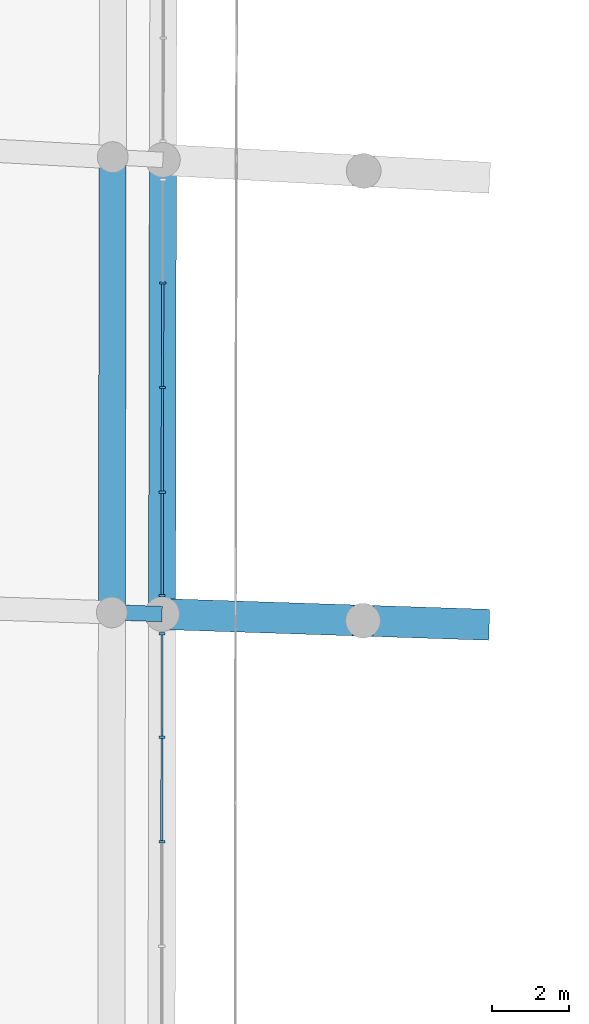
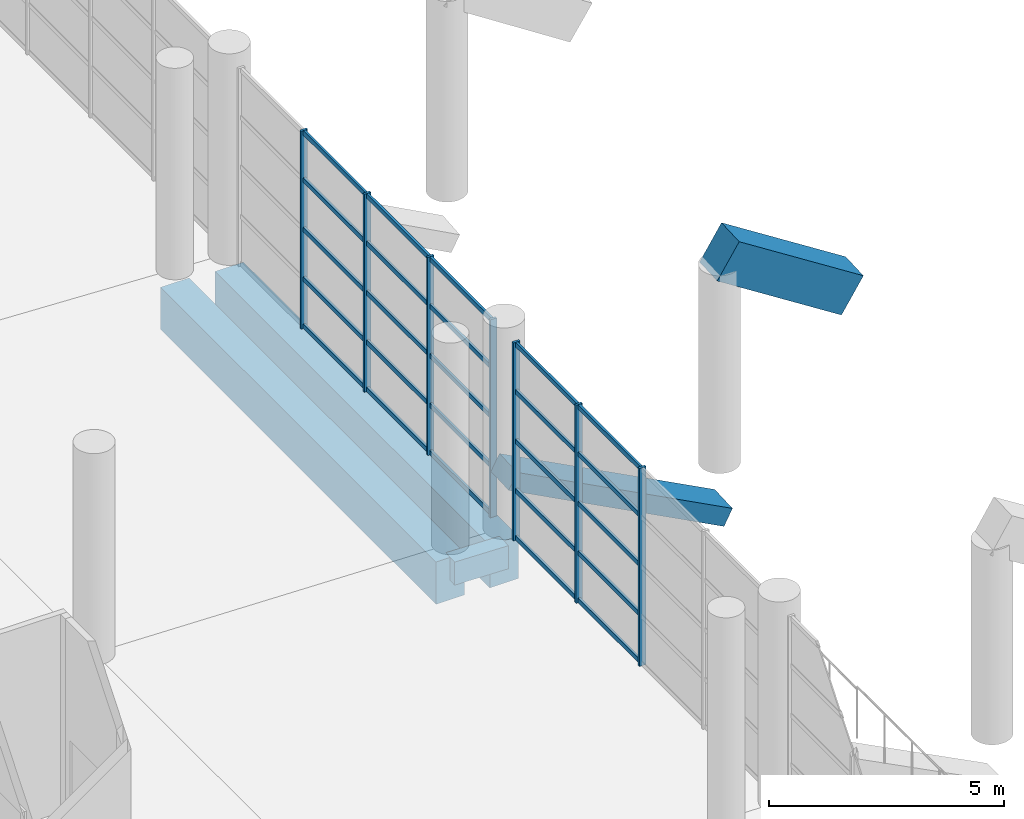
# One storey, part 69 of 271: 32 members, 5 beams, 2 elements without a shape of their own.
"""IFC4 building model written with IfcOpenShell, lengths in metres."""

from ifc_helpers import new_model, si_unit, direction, frame, origin, origin_2d, place, context, subcontext, project, spatial, rectangle, extrude, material, layer, layer_set, material_profile, profile_set, type_object, element, aggregate, save


model = new_model("IFC4")

# Units and contexts
model_context = context("Model", 3, precision=1e-05, world=origin(), true_north=direction((0.0, 1.0)))
body_context = subcontext(model_context, "Body", "Model", "MODEL_VIEW")
ifc_project = project(units=[si_unit("LENGTHUNIT", "METRE"), si_unit("AREAUNIT", "SQUARE_METRE"), si_unit("VOLUMEUNIT", "CUBIC_METRE"), si_unit("PLANEANGLEUNIT", "RADIAN"), si_unit("MASSUNIT", "GRAM", prefix="KILO")], contexts=[model_context])

# Site, building, storey
site_placement = place(None, origin())
site = spatial("IfcSite", under=ifc_project, at=site_placement, CompositionType="ELEMENT")
building_placement = place(site_placement, origin())
building = spatial("IfcBuilding", under=site, at=building_placement, Name="Meseta Stadium", CompositionType="ELEMENT")
storey_placement = place(building_placement, frame((0.0, 0.0, 6.5)))
storey = spatial("IfcBuildingStorey", under=building, at=storey_placement, Name="L01", CompositionType="ELEMENT", Elevation=6.5)

# Curtain wall, members
ifc_material_1 = material(Name="Aluminium", Category="aluminium")
ifc_layer = layer(ifc_material_1, 0.199951171875)
ifc_layer_set = layer_set([ifc_layer], Name="Club glazing curtain wall")
curtain_wall_type = type_object("IfcCurtainWallType", Name="Club glazing curtain wall", PredefinedType="NOTDEFINED", material=ifc_layer_set)
curtain_wall_1_placement = place(storey_placement, origin())
curtain_wall_1 = element("IfcCurtainWall", 1, at=curtain_wall_1_placement, inside=storey, type_object=curtain_wall_type, Name="Club glazing bay 30", PredefinedType="NOTDEFINED")
ifc_material_2 = material(Name="Aluminium", Category="aluminium")
ifc_material_profile_1 = material_profile(ifc_material_2, rectangle(XDim=0.159912109375, YDim=0.06005859375, at=origin_2d()), Name="CW 160x60")
ifc_profile_set_1 = profile_set([ifc_material_profile_1], Name="Aluminium")
member_type_1 = type_object("IfcMemberType", Name="CW mullion 60x160", PredefinedType="MULLION", material=ifc_profile_set_1)
member_1_placement = place(storey_placement, frame((-63.572021484375, 26.178955078125, 0.0), z_axis=(0.0, 0.0, 1.0), x_axis=(0.999998297516, -0.0018452545, 0.0)))
member_1 = element("IfcMember", 2, at=member_1_placement, type_object=member_type_1, Name="CWC mullion 2", PredefinedType="MULLION", context=body_context, shape_type="SweptSolid", body=[
    extrude(rectangle(XDim=0.159912109375, YDim=0.06005859375, at=origin_2d()), origin(), (0.0, 0.0, 1.0), 5.14990234375),
])
member_2_placement = place(storey_placement, frame((-63.576904296875, 23.475341796875, 0.0), z_axis=(0.0, 0.0, 1.0), x_axis=(0.999998297516, -0.0018452545, 0.0)))
member_2 = element("IfcMember", 3, at=member_2_placement, type_object=member_type_1, Name="CWC mullion 3", PredefinedType="MULLION", context=body_context, shape_type="SweptSolid", body=[
    extrude(rectangle(XDim=0.159912109375, YDim=0.06005859375, at=origin_2d()), origin(), (0.0, 0.0, 1.0), 5.14990234375),
])
member_3_placement = place(storey_placement, frame((-63.58203125, 20.771728515625, 0.0), z_axis=(0.0, 0.0, 1.0), x_axis=(0.999998297516, -0.0018452545, 0.0)))
member_3 = element("IfcMember", 4, at=member_3_placement, type_object=member_type_1, Name="CWC mullion 4", PredefinedType="MULLION", context=body_context, shape_type="SweptSolid", body=[
    extrude(rectangle(XDim=0.159912109375, YDim=0.06005859375, at=origin_2d()), origin(), (0.0, 0.0, 1.0), 5.14990234375),
])
member_4_placement = place(storey_placement, frame((-63.5869140625, 18.097900390625, 0.0), z_axis=(0.0, 0.0, 1.0), x_axis=(0.999998297516, -0.0018452545, 0.0)))
member_4 = element("IfcMember", 5, at=member_4_placement, type_object=member_type_1, Name="CWC mullion 5", PredefinedType="MULLION", context=body_context, shape_type="SweptSolid", body=[
    extrude(rectangle(XDim=0.159912109375, YDim=0.06005859375, at=origin_2d()), origin(), (0.0, 0.0, 1.0), 5.14990234375),
])

curtain_wall_2_placement = place(storey_placement, origin())
curtain_wall_2 = element("IfcCurtainWall", 6, at=curtain_wall_2_placement, inside=storey, type_object=curtain_wall_type, Name="Club glazing bay 31", PredefinedType="NOTDEFINED")
member_5_placement = place(storey_placement, frame((-63.588134765625, 17.10888671875, 0.0), z_axis=(0.0, 0.0, 1.0), x_axis=(0.999999572613, -0.000924539991, 0.0)))
member_5 = element("IfcMember", 7, at=member_5_placement, type_object=member_type_1, Name="CWC mullion 1", PredefinedType="MULLION", context=body_context, shape_type="SweptSolid", body=[
    extrude(rectangle(XDim=0.159912109375, YDim=0.06005859375, at=origin_2d()), origin(), (0.0, 0.0, 1.0), 5.14990234375),
])
member_6_placement = place(storey_placement, frame((-63.5908203125, 14.434814453125, 0.0), z_axis=(0.0, 0.0, 1.0), x_axis=(0.999999572613, -0.000924539991, 0.0)))
member_6 = element("IfcMember", 8, at=member_6_placement, type_object=member_type_1, Name="CWC mullion 2", PredefinedType="MULLION", context=body_context, shape_type="SweptSolid", body=[
    extrude(rectangle(XDim=0.159912109375, YDim=0.06005859375, at=origin_2d()), origin(), (0.0, 0.0, 1.0), 5.14990234375),
])
member_7_placement = place(storey_placement, frame((-63.59326171875, 11.730712890625, 0.0), z_axis=(0.0, 0.0, 1.0), x_axis=(0.999999572613, -0.000924539991, 0.0)))
member_7 = element("IfcMember", 9, at=member_7_placement, type_object=member_type_1, Name="CWC mullion 3", PredefinedType="MULLION", context=body_context, shape_type="SweptSolid", body=[
    extrude(rectangle(XDim=0.159912109375, YDim=0.06005859375, at=origin_2d()), origin(), (0.0, 0.0, 1.0), 5.14990234375),
])

# Member
ifc_material_3 = material(Name="Aluminium", Category="aluminium")
ifc_material_profile_2 = material_profile(ifc_material_3, rectangle(XDim=0.06005859375, YDim=0.1201171875, at=origin_2d()), Name="CW 60x120")
ifc_profile_set_2 = profile_set([ifc_material_profile_2], Name="Aluminium")
member_type_2 = type_object("IfcMemberType", Name="CW transom 60x120", PredefinedType="USERDEFINED", material=ifc_profile_set_2)
member_8_placement = place(storey_placement, frame((-63.572021484375, 26.14892578125, 0.06005859375), z_axis=(-0.001847060019, -0.999998294183, 0.0), x_axis=(0.999998294183, -0.001847060019, 0.0)))
member_8 = element("IfcMember", 10, at=member_8_placement, type_object=member_type_2, Name="CWC transom 2.1", ObjectType="TRANSOM", PredefinedType="USERDEFINED", context=body_context, shape_type="SweptSolid", body=[
    extrude(rectangle(XDim=0.06005859375, YDim=0.1201171875, at=origin_2d()), origin(), (0.0, 0.0, 1.0), 2.6435546875),
])

member_9_placement = place(storey_placement, frame((-63.572021484375, 26.14892578125, 1.28759765625), z_axis=(-0.001847060019, -0.999998294183, 0.0), x_axis=(0.999998294183, -0.001847060019, 0.0)))
member_9 = element("IfcMember", 11, at=member_9_placement, type_object=member_type_2, Name="CWC transom 2.2", ObjectType="TRANSOM", PredefinedType="USERDEFINED", context=body_context, shape_type="SweptSolid", body=[
    extrude(rectangle(XDim=0.06005859375, YDim=0.1201171875, at=origin_2d()), origin(), (0.0, 0.0, 1.0), 2.6435546875),
])

member_10_placement = place(storey_placement, frame((-63.572021484375, 26.14892578125, 2.574951171875), z_axis=(-0.001847060019, -0.999998294183, 0.0), x_axis=(0.999998294183, -0.001847060019, 0.0)))
member_10 = element("IfcMember", 12, at=member_10_placement, type_object=member_type_2, Name="CWC transom 2.3", ObjectType="TRANSOM", PredefinedType="USERDEFINED", context=body_context, shape_type="SweptSolid", body=[
    extrude(rectangle(XDim=0.06005859375, YDim=0.1201171875, at=origin_2d()), origin(), (0.0, 0.0, 1.0), 2.6435546875),
])

member_11_placement = place(storey_placement, frame((-63.572021484375, 26.14892578125, 3.862548828125), z_axis=(-0.001847060019, -0.999998294183, 0.0), x_axis=(0.999998294183, -0.001847060019, 0.0)))
member_11 = element("IfcMember", 13, at=member_11_placement, type_object=member_type_2, Name="CWC transom 2.4", ObjectType="TRANSOM", PredefinedType="USERDEFINED", context=body_context, shape_type="SweptSolid", body=[
    extrude(rectangle(XDim=0.06005859375, YDim=0.1201171875, at=origin_2d()), origin(), (0.0, 0.0, 1.0), 2.6435546875),
])

member_12_placement = place(storey_placement, frame((-63.572021484375, 26.14892578125, 5.090087890625), z_axis=(-0.001847060019, -0.999998294183, 0.0), x_axis=(0.999998294183, -0.001847060019, 0.0)))
member_12 = element("IfcMember", 14, at=member_12_placement, type_object=member_type_2, Name="CWC transom 2.5", ObjectType="TRANSOM", PredefinedType="USERDEFINED", context=body_context, shape_type="SweptSolid", body=[
    extrude(rectangle(XDim=0.06005859375, YDim=0.1201171875, at=origin_2d()), origin(), (0.0, 0.0, 1.0), 2.6435546875),
])

member_13_placement = place(storey_placement, frame((-63.5771484375, 23.4453125, 0.06005859375), z_axis=(-0.001754545272, -0.999998460784, 0.0), x_axis=(0.999998460784, -0.001754545272, 0.0)))
member_13 = element("IfcMember", 15, at=member_13_placement, type_object=member_type_2, Name="CWC transom 3.1", ObjectType="TRANSOM", PredefinedType="USERDEFINED", context=body_context, shape_type="SweptSolid", body=[
    extrude(rectangle(XDim=0.06005859375, YDim=0.1201171875, at=origin_2d()), origin(), (0.0, 0.0, 1.0), 2.643798828125),
])

member_14_placement = place(storey_placement, frame((-63.5771484375, 23.4453125, 1.28759765625), z_axis=(-0.001754545272, -0.999998460784, 0.0), x_axis=(0.999998460784, -0.001754545272, 0.0)))
member_14 = element("IfcMember", 16, at=member_14_placement, type_object=member_type_2, Name="CWC transom 3.2", ObjectType="TRANSOM", PredefinedType="USERDEFINED", context=body_context, shape_type="SweptSolid", body=[
    extrude(rectangle(XDim=0.06005859375, YDim=0.1201171875, at=origin_2d()), origin(), (0.0, 0.0, 1.0), 2.643798828125),
])

member_15_placement = place(storey_placement, frame((-63.5771484375, 23.4453125, 2.574951171875), z_axis=(-0.001754545272, -0.999998460784, 0.0), x_axis=(0.999998460784, -0.001754545272, 0.0)))
member_15 = element("IfcMember", 17, at=member_15_placement, type_object=member_type_2, Name="CWC transom 3.3", ObjectType="TRANSOM", PredefinedType="USERDEFINED", context=body_context, shape_type="SweptSolid", body=[
    extrude(rectangle(XDim=0.06005859375, YDim=0.1201171875, at=origin_2d()), origin(), (0.0, 0.0, 1.0), 2.643798828125),
])

member_16_placement = place(storey_placement, frame((-63.5771484375, 23.4453125, 3.862548828125), z_axis=(-0.001754545272, -0.999998460784, 0.0), x_axis=(0.999998460784, -0.001754545272, 0.0)))
member_16 = element("IfcMember", 18, at=member_16_placement, type_object=member_type_2, Name="CWC transom 3.4", ObjectType="TRANSOM", PredefinedType="USERDEFINED", context=body_context, shape_type="SweptSolid", body=[
    extrude(rectangle(XDim=0.06005859375, YDim=0.1201171875, at=origin_2d()), origin(), (0.0, 0.0, 1.0), 2.643798828125),
])

member_17_placement = place(storey_placement, frame((-63.5771484375, 23.4453125, 5.090087890625), z_axis=(-0.001754545272, -0.999998460784, 0.0), x_axis=(0.999998460784, -0.001754545272, 0.0)))
member_17 = element("IfcMember", 19, at=member_17_placement, type_object=member_type_2, Name="CWC transom 3.5", ObjectType="TRANSOM", PredefinedType="USERDEFINED", context=body_context, shape_type="SweptSolid", body=[
    extrude(rectangle(XDim=0.06005859375, YDim=0.1201171875, at=origin_2d()), origin(), (0.0, 0.0, 1.0), 2.643798828125),
])

member_18_placement = place(storey_placement, frame((-63.58203125, 20.74169921875, 0.06005859375), z_axis=(-0.00186810808, -0.999998255085, 0.0), x_axis=(0.999998255085, -0.00186810808, 0.0)))
member_18 = element("IfcMember", 20, at=member_18_placement, type_object=member_type_2, Name="CWC transom 4.1", ObjectType="TRANSOM", PredefinedType="USERDEFINED", context=body_context, shape_type="SweptSolid", body=[
    extrude(rectangle(XDim=0.06005859375, YDim=0.1201171875, at=origin_2d()), origin(), (0.0, 0.0, 1.0), 2.61376953125),
])

member_19_placement = place(storey_placement, frame((-63.58203125, 20.74169921875, 1.28759765625), z_axis=(-0.00186810808, -0.999998255085, 0.0), x_axis=(0.999998255085, -0.00186810808, 0.0)))
member_19 = element("IfcMember", 21, at=member_19_placement, type_object=member_type_2, Name="CWC transom 4.2", ObjectType="TRANSOM", PredefinedType="USERDEFINED", context=body_context, shape_type="SweptSolid", body=[
    extrude(rectangle(XDim=0.06005859375, YDim=0.1201171875, at=origin_2d()), origin(), (0.0, 0.0, 1.0), 2.61376953125),
])

member_20_placement = place(storey_placement, frame((-63.58203125, 20.74169921875, 2.574951171875), z_axis=(-0.00186810808, -0.999998255085, 0.0), x_axis=(0.999998255085, -0.00186810808, 0.0)))
member_20 = element("IfcMember", 22, at=member_20_placement, type_object=member_type_2, Name="CWC transom 4.3", ObjectType="TRANSOM", PredefinedType="USERDEFINED", context=body_context, shape_type="SweptSolid", body=[
    extrude(rectangle(XDim=0.06005859375, YDim=0.1201171875, at=origin_2d()), origin(), (0.0, 0.0, 1.0), 2.61376953125),
])

member_21_placement = place(storey_placement, frame((-63.58203125, 20.74169921875, 3.862548828125), z_axis=(-0.00186810808, -0.999998255085, 0.0), x_axis=(0.999998255085, -0.00186810808, 0.0)))
member_21 = element("IfcMember", 23, at=member_21_placement, type_object=member_type_2, Name="CWC transom 4.4", ObjectType="TRANSOM", PredefinedType="USERDEFINED", context=body_context, shape_type="SweptSolid", body=[
    extrude(rectangle(XDim=0.06005859375, YDim=0.1201171875, at=origin_2d()), origin(), (0.0, 0.0, 1.0), 2.61376953125),
])

member_22_placement = place(storey_placement, frame((-63.58203125, 20.74169921875, 5.090087890625), z_axis=(-0.00186810808, -0.999998255085, 0.0), x_axis=(0.999998255085, -0.00186810808, 0.0)))
member_22 = element("IfcMember", 24, at=member_22_placement, type_object=member_type_2, Name="CWC transom 4.5", ObjectType="TRANSOM", PredefinedType="USERDEFINED", context=body_context, shape_type="SweptSolid", body=[
    extrude(rectangle(XDim=0.06005859375, YDim=0.1201171875, at=origin_2d()), origin(), (0.0, 0.0, 1.0), 2.61376953125),
])

aggregate(curtain_wall_1, [member_1, member_2, member_3, member_4, member_8, member_9, member_10, member_11, member_12, member_13, member_14, member_15, member_16, member_17, member_18, member_19, member_20, member_21, member_22])

member_23_placement = place(storey_placement, frame((-63.58837890625, 17.078857421875, 0.06005859375), z_axis=(-0.000840571292, -0.99999964672, 0.0), x_axis=(0.99999964672, -0.000840571292, 0.0)))
member_23 = element("IfcMember", 25, at=member_23_placement, type_object=member_type_2, Name="CWC transom 1.1", ObjectType="TRANSOM", PredefinedType="USERDEFINED", context=body_context, shape_type="SweptSolid", body=[
    extrude(rectangle(XDim=0.06005859375, YDim=0.1201171875, at=origin_2d()), origin(), (0.0, 0.0, 1.0), 2.614013671875),
])

member_24_placement = place(storey_placement, frame((-63.58837890625, 17.078857421875, 1.28759765625), z_axis=(-0.000840571292, -0.99999964672, 0.0), x_axis=(0.99999964672, -0.000840571292, 0.0)))
member_24 = element("IfcMember", 26, at=member_24_placement, type_object=member_type_2, Name="CWC transom 1.2", ObjectType="TRANSOM", PredefinedType="USERDEFINED", context=body_context, shape_type="SweptSolid", body=[
    extrude(rectangle(XDim=0.06005859375, YDim=0.1201171875, at=origin_2d()), origin(), (0.0, 0.0, 1.0), 2.614013671875),
])

member_25_placement = place(storey_placement, frame((-63.58837890625, 17.078857421875, 2.574951171875), z_axis=(-0.000840571292, -0.99999964672, 0.0), x_axis=(0.99999964672, -0.000840571292, 0.0)))
member_25 = element("IfcMember", 27, at=member_25_placement, type_object=member_type_2, Name="CWC transom 1.3", ObjectType="TRANSOM", PredefinedType="USERDEFINED", context=body_context, shape_type="SweptSolid", body=[
    extrude(rectangle(XDim=0.06005859375, YDim=0.1201171875, at=origin_2d()), origin(), (0.0, 0.0, 1.0), 2.614013671875),
])

member_26_placement = place(storey_placement, frame((-63.58837890625, 17.078857421875, 3.862548828125), z_axis=(-0.000840571292, -0.99999964672, 0.0), x_axis=(0.99999964672, -0.000840571292, 0.0)))
member_26 = element("IfcMember", 28, at=member_26_placement, type_object=member_type_2, Name="CWC transom 1.4", ObjectType="TRANSOM", PredefinedType="USERDEFINED", context=body_context, shape_type="SweptSolid", body=[
    extrude(rectangle(XDim=0.06005859375, YDim=0.1201171875, at=origin_2d()), origin(), (0.0, 0.0, 1.0), 2.614013671875),
])

member_27_placement = place(storey_placement, frame((-63.58837890625, 17.078857421875, 5.090087890625), z_axis=(-0.000840571292, -0.99999964672, 0.0), x_axis=(0.99999964672, -0.000840571292, 0.0)))
member_27 = element("IfcMember", 29, at=member_27_placement, type_object=member_type_2, Name="CWC transom 1.5", ObjectType="TRANSOM", PredefinedType="USERDEFINED", context=body_context, shape_type="SweptSolid", body=[
    extrude(rectangle(XDim=0.06005859375, YDim=0.1201171875, at=origin_2d()), origin(), (0.0, 0.0, 1.0), 2.614013671875),
])

member_28_placement = place(storey_placement, frame((-63.5908203125, 14.40478515625, 0.06005859375), z_axis=(-0.000923360641, -0.999999573702, 0.0), x_axis=(0.999999573702, -0.000923360641, 0.0)))
member_28 = element("IfcMember", 30, at=member_28_placement, type_object=member_type_2, Name="CWC transom 2.1", ObjectType="TRANSOM", PredefinedType="USERDEFINED", context=body_context, shape_type="SweptSolid", body=[
    extrude(rectangle(XDim=0.06005859375, YDim=0.1201171875, at=origin_2d()), origin(), (0.0, 0.0, 1.0), 2.64404296875),
])

member_29_placement = place(storey_placement, frame((-63.5908203125, 14.40478515625, 1.28759765625), z_axis=(-0.000923360641, -0.999999573702, 0.0), x_axis=(0.999999573702, -0.000923360641, 0.0)))
member_29 = element("IfcMember", 31, at=member_29_placement, type_object=member_type_2, Name="CWC transom 2.2", ObjectType="TRANSOM", PredefinedType="USERDEFINED", context=body_context, shape_type="SweptSolid", body=[
    extrude(rectangle(XDim=0.06005859375, YDim=0.1201171875, at=origin_2d()), origin(), (0.0, 0.0, 1.0), 2.64404296875),
])

member_30_placement = place(storey_placement, frame((-63.5908203125, 14.40478515625, 2.574951171875), z_axis=(-0.000923360641, -0.999999573702, 0.0), x_axis=(0.999999573702, -0.000923360641, 0.0)))
member_30 = element("IfcMember", 32, at=member_30_placement, type_object=member_type_2, Name="CWC transom 2.3", ObjectType="TRANSOM", PredefinedType="USERDEFINED", context=body_context, shape_type="SweptSolid", body=[
    extrude(rectangle(XDim=0.06005859375, YDim=0.1201171875, at=origin_2d()), origin(), (0.0, 0.0, 1.0), 2.64404296875),
])

member_31_placement = place(storey_placement, frame((-63.5908203125, 14.40478515625, 3.862548828125), z_axis=(-0.000923360641, -0.999999573702, 0.0), x_axis=(0.999999573702, -0.000923360641, 0.0)))
member_31 = element("IfcMember", 33, at=member_31_placement, type_object=member_type_2, Name="CWC transom 2.4", ObjectType="TRANSOM", PredefinedType="USERDEFINED", context=body_context, shape_type="SweptSolid", body=[
    extrude(rectangle(XDim=0.06005859375, YDim=0.1201171875, at=origin_2d()), origin(), (0.0, 0.0, 1.0), 2.64404296875),
])

member_32_placement = place(storey_placement, frame((-63.5908203125, 14.40478515625, 5.090087890625), z_axis=(-0.000923360641, -0.999999573702, 0.0), x_axis=(0.999999573702, -0.000923360641, 0.0)))
member_32 = element("IfcMember", 34, at=member_32_placement, type_object=member_type_2, Name="CWC transom 2.5", ObjectType="TRANSOM", PredefinedType="USERDEFINED", context=body_context, shape_type="SweptSolid", body=[
    extrude(rectangle(XDim=0.06005859375, YDim=0.1201171875, at=origin_2d()), origin(), (0.0, 0.0, 1.0), 2.64404296875),
])

aggregate(curtain_wall_2, [member_5, member_6, member_7, member_23, member_24, member_25, member_26, member_27, member_28, member_29, member_30, member_31, member_32])

# Beams
ifc_material_4 = material(Name="Concrete C40/50", Category="concrete")
ifc_material_profile_3 = material_profile(ifc_material_4, rectangle(XDim=0.39990234375, YDim=0.60009765625, at=origin_2d()), Name="RC 400x600")
ifc_profile_set_3 = profile_set([ifc_material_profile_3], Name="Concrete C40/50")
beam_type_1 = type_object("IfcBeamType", Name="RC beam 400x600", PredefinedType="BEAM", material=ifc_profile_set_3)
beam_1_placement = place(storey_placement, frame((-63.587890625, 17.617919921875, -0.64990234375), z_axis=(-0.99945362659, 0.033052205614, 0.0), x_axis=(-0.033052205614, -0.99945362659, 0.0)))
element("IfcBeam", 35, at=beam_1_placement, inside=storey, type_object=beam_type_1, Name="L01 radial beam frame 31 line C to D", PredefinedType="BEAM", context=body_context, shape_type="SweptSolid", body=[
    extrude(rectangle(XDim=0.39990234375, YDim=0.60009765625, at=origin_2d()), origin(), (0.0, 0.0, 1.0), 1.300048828125),
])
ifc_material_5 = material(Name="Concrete C40/50", Category="concrete")
ifc_material_profile_4 = material_profile(ifc_material_5, rectangle(XDim=0.699951171875, YDim=1.10009765625, at=origin_2d()), Name="RC 700x1100")
ifc_profile_set_4 = profile_set([ifc_material_profile_4], Name="Concrete C40/50")
beam_type_2 = type_object("IfcBeamType", Name="RC beam 700x1100", PredefinedType="BEAM", material=ifc_profile_set_4)
beam_2_placement = place(storey_placement, frame((-63.566162109375, 29.3623046875, -0.89990234375), z_axis=(-0.001850116364, -0.999998288533, 0.0), x_axis=(0.999998288533, -0.001850116364, 0.0)))
element("IfcBeam", 36, at=beam_2_placement, inside=storey, type_object=beam_type_2, Name="L01 ring beam frame 30 line C", PredefinedType="BEAM", context=body_context, shape_type="SweptSolid", body=[
    extrude(rectangle(XDim=0.699951171875, YDim=1.10009765625, at=origin_2d()), origin(), (0.0, 0.0, 1.0), 11.744384765625),
])
beam_3_placement = place(storey_placement, frame((-64.8642578125, 29.433349609375, -0.89990234375), z_axis=(-0.001949394886, -0.999998099928, 0.0), x_axis=(0.999998099928, -0.001949394886, 0.0)))
element("IfcBeam", 37, at=beam_3_placement, inside=storey, type_object=beam_type_2, Name="L01 ring beam frame 30 line D", PredefinedType="BEAM", context=body_context, shape_type="SweptSolid", body=[
    extrude(rectangle(XDim=0.699951171875, YDim=1.10009765625, at=origin_2d()), origin(), (0.0, 0.0, 1.0), 11.7724609375),
])
ifc_material_6 = material(Name="Concrete C40/50", Category="concrete")
ifc_material_profile_5 = material_profile(ifc_material_6, rectangle(XDim=0.800048828125, YDim=0.449951171875, at=origin_2d()), Name="RC 800x450")
ifc_profile_set_5 = profile_set([ifc_material_profile_5], Name="Concrete C40/50")
beam_type_3 = type_object("IfcBeamType", Name="RC raker lower 800x450", PredefinedType="USERDEFINED", material=ifc_profile_set_5)
beam_4_placement = place(storey_placement, frame((-58.390625, 17.447021484375, -1.208984375), z_axis=(-0.890383809502, 0.02927793436, 0.454268064403), x_axis=(-0.032864612406, -0.999459812725, 0.0)))
element("IfcBeam", 38, at=beam_4_placement, inside=storey, type_object=beam_type_3, Name="Raker lower frame 31 lower tier", ObjectType="RAKER", PredefinedType="USERDEFINED", context=body_context, shape_type="SweptSolid", body=[
    extrude(rectangle(XDim=0.800048828125, YDim=0.449951171875, at=origin_2d()), origin(), (0.0, 0.0, 1.0), 5.837158203125),
])
ifc_material_7 = material(Name="Concrete C40/50", Category="concrete")
ifc_material_profile_6 = material_profile(ifc_material_7, rectangle(XDim=0.800048828125, YDim=1.0, at=origin_2d()), Name="RC 800x1000")
ifc_profile_set_6 = profile_set([ifc_material_profile_6], Name="Concrete C40/50")
beam_type_4 = type_object("IfcBeamType", Name="RC raker upper front 800x1000", PredefinedType="USERDEFINED", material=ifc_profile_set_6)
beam_5_placement = place(storey_placement, frame((-55.39208984375, 17.348388671875, 3.57470703125), z_axis=(-0.847552363453, 0.02787910396, 0.529979005969), x_axis=(-0.032875884593, -0.999459442005, 0.0)))
element("IfcBeam", 39, at=beam_5_placement, inside=storey, type_object=beam_type_4, Name="Raker upper front frame 31 upper tier", ObjectType="RAKER", PredefinedType="USERDEFINED", context=body_context, shape_type="SweptSolid", body=[
    extrude(rectangle(XDim=0.800048828125, YDim=1.0, at=origin_2d()), origin(), (0.0, 0.0, 1.0), 3.537841796875),
])

save(model, "model.ifc")
